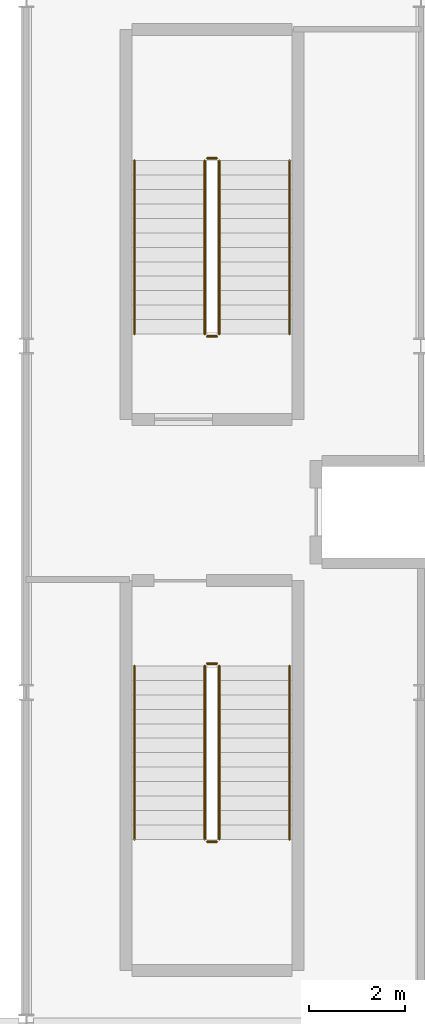
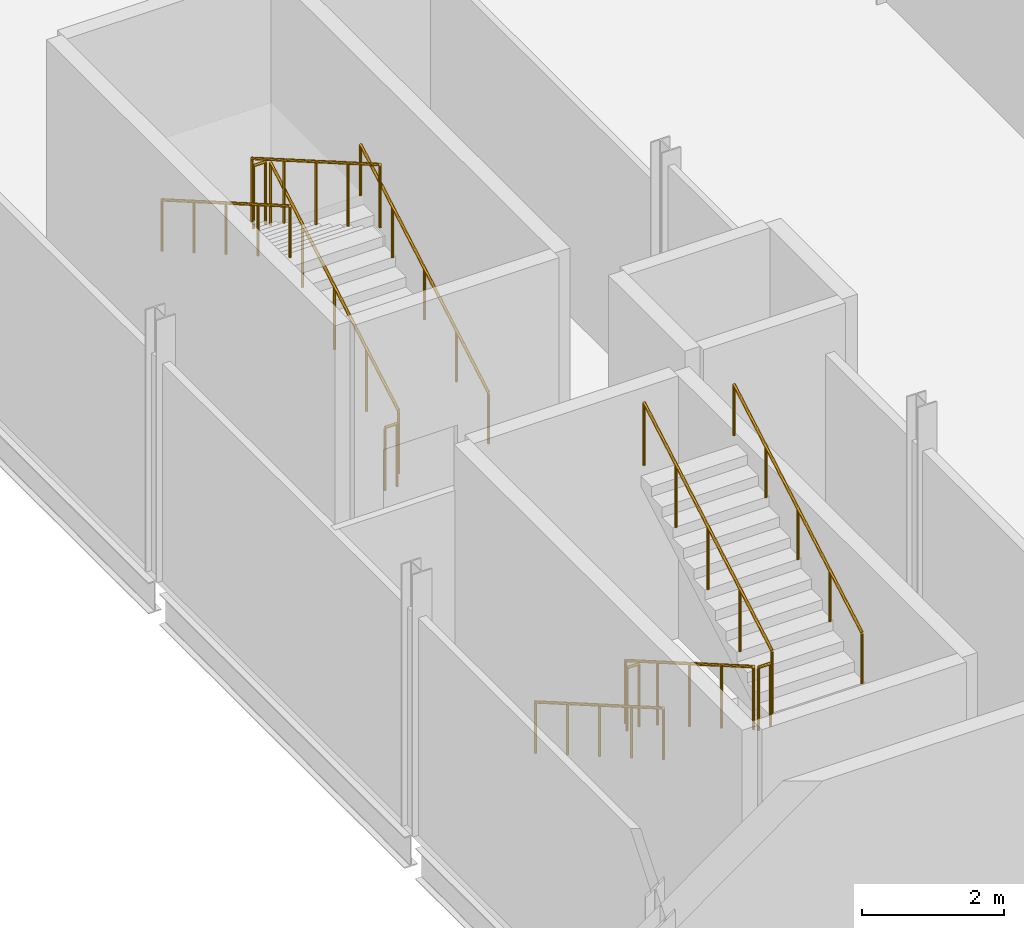
# One storey, part 77 of 77: 12 railings.
"""IFC4 building model written with IfcOpenShell, lengths in metres."""

from ifc_helpers import new_model, si_unit, direction, frame, origin, origin_2d, place, context, subcontext, project, spatial, circle, extrude, material, type_object, element, save


model = new_model("IFC4")

# Units and contexts
model_context = context("Model", 3, precision=1e-05, world=origin(), true_north=direction((0.0, 1.0)))
body_context = subcontext(model_context, "Body", "Model", "MODEL_VIEW")
ifc_project = project(units=[si_unit("LENGTHUNIT", "METRE"), si_unit("AREAUNIT", "SQUARE_METRE"), si_unit("VOLUMEUNIT", "CUBIC_METRE"), si_unit("PLANEANGLEUNIT", "RADIAN"), si_unit("MASSUNIT", "GRAM", prefix="KILO")], contexts=[model_context])

# Site, building, storey
site_placement = place(None, origin())
site = spatial("IfcSite", under=ifc_project, at=site_placement, CompositionType="ELEMENT")
building_placement = place(site_placement, origin())
building = spatial("IfcBuilding", under=site, at=building_placement, Name="Quillay Park Conservatory", CompositionType="ELEMENT")
storey_placement = place(building_placement, frame((0.0, 0.0, 5.39990234375)))
storey = spatial("IfcBuildingStorey", under=building, at=storey_placement, Name="L01", CompositionType="ELEMENT", Elevation=5.39990234375)

# Railings
ifc_material_1 = material(Name="Steel S355J2H", Category="steel")
railing_type_1 = type_object("IfcRailingType", Name="STAIR WALL HANDRAIL 900", PredefinedType="HANDRAIL", material=ifc_material_1)
railing_1_placement = place(storey_placement, frame((150.25, 92.949951171875, 0.173095703125)))
element("IfcRailing", 1, at=railing_1_placement, inside=storey, type_object=railing_type_1, Name="L01 ST-A1 stair handrail 1", PredefinedType="HANDRAIL", context=body_context, shape_type="SweptSolid", body=[
    extrude(circle(Radius=0.02392578125, at=origin_2d()), frame((0.0, 0.0, 0.8759765625), z_axis=(0.0, -0.866178740119, 0.499734319579), x_axis=(1.0, 0.0, 0.0)), (0.0, 0.0, 1.0), 4.156005859375),
    extrude(circle(Radius=0.02099609375, at=origin_2d()), origin(), (0.0, 0.0, 1.0), 0.851806640625),
    extrude(circle(Radius=0.02099609375, at=origin_2d()), frame((0.0, -0.89990234375, 0.519287109375)), (0.0, 0.0, 1.0), 0.851806640625),
    extrude(circle(Radius=0.02099609375, at=origin_2d()), frame((0.0, -1.7998046875, 1.03857421875)), (0.0, 0.0, 1.0), 0.851806640625),
    extrude(circle(Radius=0.02099609375, at=origin_2d()), frame((0.0, -2.699951171875, 1.5576171875)), (0.0, 0.0, 1.0), 0.851806640625),
    extrude(circle(Radius=0.02099609375, at=origin_2d()), frame((0.0, -3.599853515625, 2.076904296875)), (0.0, 0.0, 1.0), 0.851806640625),
])
for number, where, name in (
    (2, (153.469970703125, 89.35009765625, 2.423095703125), "L01 ST-A1 stair handrail 2"),
    (3, (153.469970703125, 99.85009765625, 0.173095703125), "L01 ST-A2 stair handrail 1"),
):
    element("IfcRailing", number, at=place(storey_placement, frame(where)), inside=storey, type_object=railing_type_1, Name=name, PredefinedType="HANDRAIL", context=body_context, shape_type="SweptSolid", body=[
        extrude(circle(Radius=0.02392578125, at=origin_2d()), frame((0.0, 0.0, 0.8759765625), z_axis=(0.0, 0.866178740119, 0.499734319579), x_axis=(-1.0, 0.0, 0.0)), (0.0, 0.0, 1.0), 4.156005859375),
        extrude(circle(Radius=0.02099609375, at=origin_2d()), origin(), (0.0, 0.0, 1.0), 0.851806640625),
        extrude(circle(Radius=0.02099609375, at=origin_2d()), frame((0.0, 0.89990234375, 0.519287109375)), (0.0, 0.0, 1.0), 0.851806640625),
        extrude(circle(Radius=0.02099609375, at=origin_2d()), frame((0.0, 1.7998046875, 1.03857421875)), (0.0, 0.0, 1.0), 0.851806640625),
        extrude(circle(Radius=0.02099609375, at=origin_2d()), frame((0.0, 2.699951171875, 1.5576171875)), (0.0, 0.0, 1.0), 0.851806640625),
        extrude(circle(Radius=0.02099609375, at=origin_2d()), frame((0.0, 3.599853515625, 2.076904296875)), (0.0, 0.0, 1.0), 0.851806640625),
    ])
railing_2_placement = place(storey_placement, frame((150.25, 103.449951171875, 2.423095703125)))
element("IfcRailing", 4, at=railing_2_placement, inside=storey, type_object=railing_type_1, Name="L01 ST-A2 stair handrail 2", PredefinedType="HANDRAIL", context=body_context, shape_type="SweptSolid", body=[
    extrude(circle(Radius=0.02392578125, at=origin_2d()), frame((0.0, 0.0, 0.8759765625), z_axis=(0.0, -0.866178740119, 0.499734319579), x_axis=(1.0, 0.0, 0.0)), (0.0, 0.0, 1.0), 4.156005859375),
    extrude(circle(Radius=0.02099609375, at=origin_2d()), origin(), (0.0, 0.0, 1.0), 0.851806640625),
    extrude(circle(Radius=0.02099609375, at=origin_2d()), frame((0.0, -0.89990234375, 0.519287109375)), (0.0, 0.0, 1.0), 0.851806640625),
    extrude(circle(Radius=0.02099609375, at=origin_2d()), frame((0.0, -1.7998046875, 1.03857421875)), (0.0, 0.0, 1.0), 0.851806640625),
    extrude(circle(Radius=0.02099609375, at=origin_2d()), frame((0.0, -2.699951171875, 1.5576171875)), (0.0, 0.0, 1.0), 0.851806640625),
    extrude(circle(Radius=0.02099609375, at=origin_2d()), frame((0.0, -3.599853515625, 2.076904296875)), (0.0, 0.0, 1.0), 0.851806640625),
])
ifc_material_2 = material(Name="Steel S355J2H", Category="steel")
railing_type_2 = type_object("IfcRailingType", Name="STAIR WELL GUARDRAIL 1100", PredefinedType="GUARDRAIL", material=ifc_material_2)
railing_3_placement = place(storey_placement, frame((151.7099609375, 92.949951171875, 0.173095703125)))
element("IfcRailing", 5, at=railing_3_placement, inside=storey, type_object=railing_type_2, Name="L01 ST-A1 stair guard 1", PredefinedType="GUARDRAIL", context=body_context, shape_type="SweptSolid", body=[
    extrude(circle(Radius=0.02392578125, at=origin_2d()), frame((0.0, 0.0, 1.076171875), z_axis=(0.0, -0.866178740119, 0.499734319579), x_axis=(1.0, 0.0, 0.0)), (0.0, 0.0, 1.0), 4.156005859375),
    extrude(circle(Radius=0.02099609375, at=origin_2d()), origin(), (0.0, 0.0, 1.0), 1.052001953125),
    extrude(circle(Radius=0.02099609375, at=origin_2d()), frame((0.0, -0.89990234375, 0.519287109375)), (0.0, 0.0, 1.0), 1.052001953125),
    extrude(circle(Radius=0.02099609375, at=origin_2d()), frame((0.0, -1.7998046875, 1.03857421875)), (0.0, 0.0, 1.0), 1.052001953125),
    extrude(circle(Radius=0.02099609375, at=origin_2d()), frame((0.0, -2.699951171875, 1.5576171875)), (0.0, 0.0, 1.0), 1.052001953125),
    extrude(circle(Radius=0.02099609375, at=origin_2d()), frame((0.0, -3.599853515625, 2.076904296875)), (0.0, 0.0, 1.0), 1.052001953125),
])
railing_4_placement = place(storey_placement, frame((151.760009765625, 89.300048828125, 2.25)))
element("IfcRailing", 6, at=railing_4_placement, inside=storey, type_object=railing_type_2, Name="L01 ST-A1 stair guard 2", PredefinedType="GUARDRAIL", context=body_context, shape_type="SweptSolid", body=[
    extrude(circle(Radius=0.02392578125, at=origin_2d()), frame((0.0, 0.0, 1.076171875), z_axis=(1.0, 0.0, 0.0), x_axis=(0.0, 1.0, 0.0)), (0.0, 0.0, 1.0), 0.199951171875),
    extrude(circle(Radius=0.02099609375, at=origin_2d()), origin(), (0.0, 0.0, 1.0), 1.052001953125),
    extrude(circle(Radius=0.02099609375, at=origin_2d()), frame((0.199951171875, 0.0, 0.0)), (0.0, 0.0, 1.0), 1.052001953125),
])
railing_5_placement = place(storey_placement, frame((152.010009765625, 89.35009765625, 2.423095703125)))
element("IfcRailing", 7, at=railing_5_placement, inside=storey, type_object=railing_type_2, Name="L01 ST-A1 stair guard 3", PredefinedType="GUARDRAIL", context=body_context, shape_type="SweptSolid", body=[
    extrude(circle(Radius=0.02392578125, at=origin_2d()), frame((0.0, 0.0, 1.076171875), z_axis=(0.0, 0.866178740119, 0.499734319579), x_axis=(-1.0, 0.0, 0.0)), (0.0, 0.0, 1.0), 4.156005859375),
    extrude(circle(Radius=0.02099609375, at=origin_2d()), origin(), (0.0, 0.0, 1.0), 1.052001953125),
    extrude(circle(Radius=0.02099609375, at=origin_2d()), frame((0.0, 0.89990234375, 0.519287109375)), (0.0, 0.0, 1.0), 1.052001953125),
    extrude(circle(Radius=0.02099609375, at=origin_2d()), frame((0.0, 1.7998046875, 1.03857421875)), (0.0, 0.0, 1.0), 1.052001953125),
    extrude(circle(Radius=0.02099609375, at=origin_2d()), frame((0.0, 2.699951171875, 1.5576171875)), (0.0, 0.0, 1.0), 1.052001953125),
    extrude(circle(Radius=0.02099609375, at=origin_2d()), frame((0.0, 3.599853515625, 2.076904296875)), (0.0, 0.0, 1.0), 1.052001953125),
])
railing_6_placement = place(storey_placement, frame((151.760009765625, 93.0, 0.0)))
element("IfcRailing", 8, at=railing_6_placement, inside=storey, type_object=railing_type_2, Name="L01 ST-A1 stair guard 4", PredefinedType="GUARDRAIL", context=body_context, shape_type="SweptSolid", body=[
    extrude(circle(Radius=0.02392578125, at=origin_2d()), frame((0.0, 0.0, 1.076171875), z_axis=(1.0, 0.0, 0.0), x_axis=(0.0, 1.0, 0.0)), (0.0, 0.0, 1.0), 0.199951171875),
    extrude(circle(Radius=0.02099609375, at=origin_2d()), origin(), (0.0, 0.0, 1.0), 1.052001953125),
    extrude(circle(Radius=0.02099609375, at=origin_2d()), frame((0.199951171875, 0.0, 0.0)), (0.0, 0.0, 1.0), 1.052001953125),
])
railing_7_placement = place(storey_placement, frame((152.010009765625, 99.85009765625, 0.173095703125)))
element("IfcRailing", 9, at=railing_7_placement, inside=storey, type_object=railing_type_2, Name="L01 ST-A2 stair guard 1", PredefinedType="GUARDRAIL", context=body_context, shape_type="SweptSolid", body=[
    extrude(circle(Radius=0.02392578125, at=origin_2d()), frame((0.0, 0.0, 1.076171875), z_axis=(0.0, 0.866178740119, 0.499734319579), x_axis=(-1.0, 0.0, 0.0)), (0.0, 0.0, 1.0), 4.156005859375),
    extrude(circle(Radius=0.02099609375, at=origin_2d()), origin(), (0.0, 0.0, 1.0), 1.052001953125),
    extrude(circle(Radius=0.02099609375, at=origin_2d()), frame((0.0, 0.89990234375, 0.519287109375)), (0.0, 0.0, 1.0), 1.052001953125),
    extrude(circle(Radius=0.02099609375, at=origin_2d()), frame((0.0, 1.7998046875, 1.03857421875)), (0.0, 0.0, 1.0), 1.052001953125),
    extrude(circle(Radius=0.02099609375, at=origin_2d()), frame((0.0, 2.699951171875, 1.5576171875)), (0.0, 0.0, 1.0), 1.052001953125),
    extrude(circle(Radius=0.02099609375, at=origin_2d()), frame((0.0, 3.599853515625, 2.076904296875)), (0.0, 0.0, 1.0), 1.052001953125),
])
railing_8_placement = place(storey_placement, frame((151.9599609375, 103.5, 2.25)))
element("IfcRailing", 10, at=railing_8_placement, inside=storey, type_object=railing_type_2, Name="L01 ST-A2 stair guard 2", PredefinedType="GUARDRAIL", context=body_context, shape_type="SweptSolid", body=[
    extrude(circle(Radius=0.02392578125, at=origin_2d()), frame((0.0, 0.0, 1.076171875), z_axis=(-1.0, 0.0, 0.0), x_axis=(0.0, -1.0, 0.0)), (0.0, 0.0, 1.0), 0.199951171875),
    extrude(circle(Radius=0.02099609375, at=origin_2d()), origin(), (0.0, 0.0, 1.0), 1.052001953125),
    extrude(circle(Radius=0.02099609375, at=origin_2d()), frame((-0.199951171875, 0.0, 0.0)), (0.0, 0.0, 1.0), 1.052001953125),
])
railing_9_placement = place(storey_placement, frame((151.7099609375, 103.449951171875, 2.423095703125)))
element("IfcRailing", 11, at=railing_9_placement, inside=storey, type_object=railing_type_2, Name="L01 ST-A2 stair guard 3", PredefinedType="GUARDRAIL", context=body_context, shape_type="SweptSolid", body=[
    extrude(circle(Radius=0.02392578125, at=origin_2d()), frame((0.0, 0.0, 1.076171875), z_axis=(0.0, -0.866178740119, 0.499734319579), x_axis=(1.0, 0.0, 0.0)), (0.0, 0.0, 1.0), 4.156005859375),
    extrude(circle(Radius=0.02099609375, at=origin_2d()), origin(), (0.0, 0.0, 1.0), 1.052001953125),
    extrude(circle(Radius=0.02099609375, at=origin_2d()), frame((0.0, -0.89990234375, 0.519287109375)), (0.0, 0.0, 1.0), 1.052001953125),
    extrude(circle(Radius=0.02099609375, at=origin_2d()), frame((0.0, -1.7998046875, 1.03857421875)), (0.0, 0.0, 1.0), 1.052001953125),
    extrude(circle(Radius=0.02099609375, at=origin_2d()), frame((0.0, -2.699951171875, 1.5576171875)), (0.0, 0.0, 1.0), 1.052001953125),
    extrude(circle(Radius=0.02099609375, at=origin_2d()), frame((0.0, -3.599853515625, 2.076904296875)), (0.0, 0.0, 1.0), 1.052001953125),
])
railing_10_placement = place(storey_placement, frame((151.9599609375, 99.800048828125, 0.0)))
element("IfcRailing", 12, at=railing_10_placement, inside=storey, type_object=railing_type_2, Name="L01 ST-A2 stair guard 4", PredefinedType="GUARDRAIL", context=body_context, shape_type="SweptSolid", body=[
    extrude(circle(Radius=0.02392578125, at=origin_2d()), frame((0.0, 0.0, 1.076171875), z_axis=(-1.0, 0.0, 0.0), x_axis=(0.0, -1.0, 0.0)), (0.0, 0.0, 1.0), 0.199951171875),
    extrude(circle(Radius=0.02099609375, at=origin_2d()), origin(), (0.0, 0.0, 1.0), 1.052001953125),
    extrude(circle(Radius=0.02099609375, at=origin_2d()), frame((-0.199951171875, 0.0, 0.0)), (0.0, 0.0, 1.0), 1.052001953125),
])

save(model, "model.ifc")
